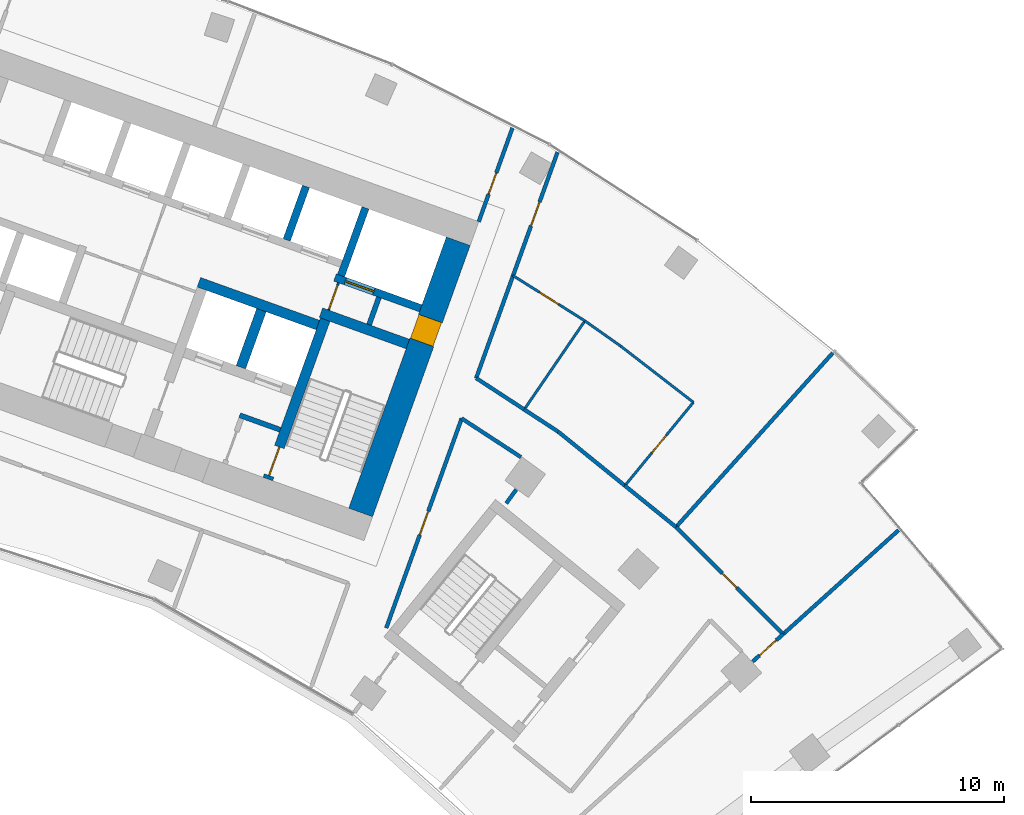
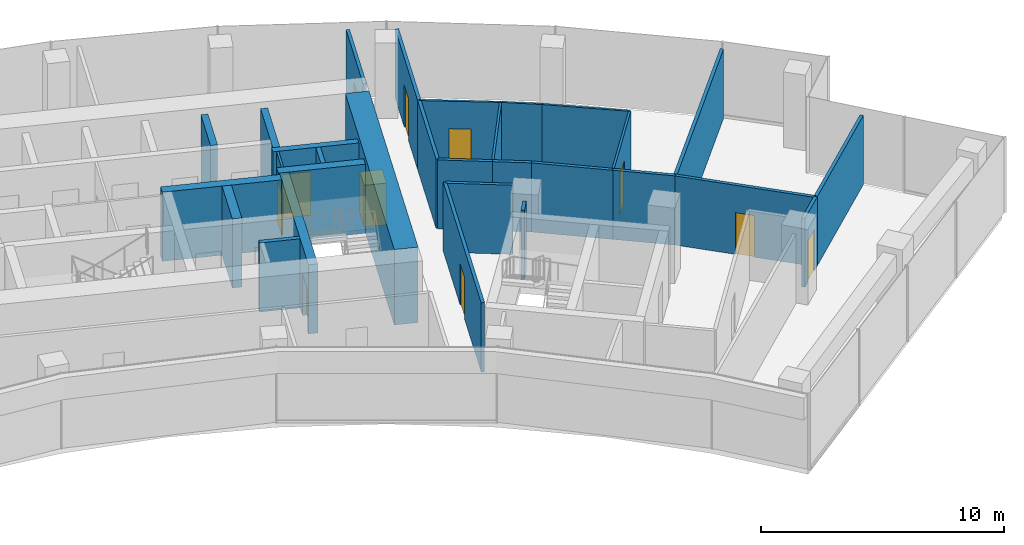
# One storey, part 16 of 19: 30 walls, 11 doors, 11 openings.
"""IFC4 building model written with IfcOpenShell, lengths in metres."""

from ifc_helpers import new_model, si_unit, direction, frame, frame_2d, origin, place, context, subcontext, project, spatial, rectangle, extrude, material, layer, layer_set, type_object, element, fill, save


model = new_model("IFC4")

# Units and contexts
model_context = context("Model", 3, precision=1e-05, world=origin(), true_north=direction((0.0, 1.0)))
body_context = subcontext(model_context, "Body", "Model", "MODEL_VIEW")
ifc_project = project(units=[si_unit("LENGTHUNIT", "METRE"), si_unit("AREAUNIT", "SQUARE_METRE"), si_unit("VOLUMEUNIT", "CUBIC_METRE"), si_unit("PLANEANGLEUNIT", "RADIAN"), si_unit("MASSUNIT", "GRAM", prefix="KILO")], contexts=[model_context])

# Site, building, storey
site_placement = place(None, origin())
site = spatial("IfcSite", under=ifc_project, at=site_placement, CompositionType="ELEMENT")
building_placement = place(site_placement, origin())
building = spatial("IfcBuilding", under=site, at=building_placement, Name="Stone Belt Terrace Tower", CompositionType="ELEMENT")
storey_placement = place(building_placement, frame((0.0, 0.0, 227.60009765625)))
storey = spatial("IfcBuildingStorey", under=building, at=storey_placement, Name="L55", CompositionType="ELEMENT", Elevation=227.60009765625)

# Wall, opening, door
ifc_material_1 = material(Name="Plasterboard partition")
ifc_layer_1 = layer(ifc_material_1, 0.10009765625)
ifc_layer_set_1 = layer_set([ifc_layer_1], Name="Core partition 100")
wall_type_1 = type_object("IfcWallType", Name="Core partition 100", PredefinedType="PARTITIONING", material=ifc_layer_set_1)
wall_1_placement = place(storey_placement, frame((24.555908203125, 51.10400390625, 0.0), z_axis=(0.0, 0.0, 1.0), x_axis=(0.338621735342, 0.94092258999, 0.0)))
wall_1 = element("IfcWall", 1, at=wall_1_placement, inside=storey, type_object=wall_type_1, Name="Core B wall", PredefinedType="PARTITIONING", context=body_context, shape_type="SweptSolid", body=[
    extrude(rectangle(XDim=1.14990234375, YDim=0.10009765625, at=frame_2d((0.574951171875, 0.0))), origin(), (0.0, 0.0, 1.0), 3.47998046875),
])
opening_1_placement = place(wall_1_placement, frame((0.050048828125, 0.0, 0.0)))
opening_1 = element("IfcOpeningElement", 2, at=opening_1_placement, cuts=wall_1, Name="Opening L55-C18", PredefinedType="OPENING", context=body_context, shape_type="SweptSolid", body=[
    extrude(rectangle(XDim=1.0, YDim=2.10009765625, at=frame_2d((0.5, 1.050048828125))), frame((0.0, 0.06005859375, 0.0), z_axis=(0.0, -1.0, 0.0), x_axis=(1.0, 0.0, 0.0)), (0.0, 0.0, 1.0), 0.1201171875),
])
ifc_material_2 = material(Name="Timber door leaf", Category="wood")
door_type_1 = type_object("IfcDoorType", Name="Core room door 1000", OperationType="SINGLE_SWING_LEFT", PredefinedType="DOOR", material=ifc_material_2)
door_1_placement = place(opening_1_placement, origin())
door_1 = element("IfcDoor", 3, at=door_1_placement, inside=storey, type_object=door_type_1, Name="Service lift lobby door core B", OperationType="SINGLE_SWING_RIGHT", OverallHeight=2.10009765625, OverallWidth=1.0, PredefinedType="DOOR", context=body_context, shape_type="SweptSolid", body=[
    extrude(rectangle(XDim=1.0, YDim=2.10009765625, at=frame_2d((0.5, 1.050048828125))), frame((0.0, 0.02490234375, 0.0), z_axis=(0.0, -1.0, 0.0), x_axis=(1.0, 0.0, 0.0)), (0.0, 0.0, 1.0), 0.050048828125),
])
fill(opening_1, door_1)

ifc_material_3 = material(Name="Concrete B60", Category="concrete")
ifc_layer_2 = layer(ifc_material_3, 1.0)
ifc_layer_set_2 = layer_set([ifc_layer_2], Name="Core wall 1000 B60")
wall_type_2 = type_object("IfcWallType", Name="Core wall 1000 B60", PredefinedType="SHEAR", material=ifc_layer_set_2)
wall_2_placement = place(storey_placement, frame((25.821044921875, 43.102783203125, 0.0), z_axis=(0.0, 0.0, 1.0), x_axis=(0.338625431531, 0.940921259788, 0.0)))
wall_2 = element("IfcWall", 4, at=wall_2_placement, inside=storey, type_object=wall_type_2, Name="Core B wall end_b L55", PredefinedType="SHEAR", context=body_context, shape_type="SweptSolid", body=[
    extrude(rectangle(XDim=11.400146484375, YDim=1.0, at=frame_2d((5.7001953125, 0.0))), origin(), (0.0, 0.0, 1.0), 3.7998046875),
])
opening_2_placement = place(wall_2_placement, frame((7.14990234375, 0.0, 0.0)))
opening_2 = element("IfcOpeningElement", 5, at=opening_2_placement, cuts=wall_2, Name="Opening L55-C17", PredefinedType="OPENING", context=body_context, shape_type="SweptSolid", body=[
    extrude(rectangle(XDim=1.0, YDim=2.10009765625, at=frame_2d((0.5, 1.050048828125))), frame((0.0, 0.510009765625, 0.0), z_axis=(0.0, -1.0, 0.0), x_axis=(1.0, 0.0, 0.0)), (0.0, 0.0, 1.0), 1.02001953125),
])
door_2_placement = place(opening_2_placement, origin())
door_2 = element("IfcDoor", 6, at=door_2_placement, inside=storey, type_object=door_type_1, Name="Door to Telecommunications riser room core B", OperationType="SINGLE_SWING_LEFT", OverallHeight=2.10009765625, OverallWidth=1.0, PredefinedType="DOOR", context=body_context, shape_type="SweptSolid", body=[
    extrude(rectangle(XDim=1.0, YDim=2.10009765625, at=frame_2d((0.5, 1.050048828125))), frame((0.0, 0.47998046875, 0.0), z_axis=(0.0, -1.0, 0.0), x_axis=(1.0, 0.0, 0.0)), (0.0, 0.0, 1.0), 0.949951171875),
])
fill(opening_2, door_2)

# Walls
ifc_material_4 = material(Name="Concrete B80", Category="concrete")
ifc_layer_3 = layer(ifc_material_4, 0.39990234375)
ifc_layer_set_3 = layer_set([ifc_layer_3], Name="Fire-fighting lift shaft wall 400")
wall_type_3 = type_object("IfcWallType", Name="Fire-fighting lift shaft wall 400", PredefinedType="SHEAR", material=ifc_layer_set_3)
wall_3_placement = place(storey_placement, frame((24.130615234375, 50.512939453125, 0.0), z_axis=(0.0, 0.0, 1.0), x_axis=(-0.94091168377, 0.338652038744, 0.0)))
element("IfcWall", 7, at=wall_3_placement, inside=storey, type_object=wall_type_3, Name="Core B wall", PredefinedType="SHEAR", context=body_context, shape_type="SweptSolid", body=[
    extrude(rectangle(XDim=5.000244140625, YDim=0.39990234375, at=frame_2d((2.5, 0.0))), origin(), (0.0, 0.0, 1.0), 3.47998046875),
])
wall_4_placement = place(storey_placement, frame((21.0859375, 48.845458984375, 0.0), z_axis=(0.0, 0.0, 1.0), x_axis=(0.338629416206, 0.940919825745, 0.0)))
element("IfcWall", 8, at=wall_4_placement, inside=storey, type_object=wall_type_3, Name="Core B wall", PredefinedType="SHEAR", context=body_context, shape_type="SweptSolid", body=[
    extrude(rectangle(XDim=2.400146484375, YDim=0.39990234375, at=frame_2d((1.2001953125, 0.0))), origin(), (0.0, 0.0, 1.0), 3.47998046875),
])

# Wall, opening, door
ifc_layer_4 = layer(ifc_material_4, 0.300048828125)
ifc_layer_set_4 = layer_set([ifc_layer_4], Name="Lift shaft wall 300")
wall_type_4 = type_object("IfcWallType", Name="Lift shaft wall 300", PredefinedType="SHEAR", material=ifc_layer_set_4)
wall_5_placement = place(storey_placement, frame((28.195068359375, 51.17578125, 0.0), z_axis=(0.0, 0.0, 1.0), x_axis=(-0.940901243567, 0.338681044427, 0.0)))
wall_5 = element("IfcWall", 9, at=wall_5_placement, inside=storey, type_object=wall_type_4, Name="Core B wall", PredefinedType="SHEAR", context=body_context, shape_type="SweptSolid", body=[
    extrude(rectangle(XDim=3.599853515625, YDim=0.300048828125, at=frame_2d((1.7998046875, 0.0))), origin(), (0.0, 0.0, 1.0), 3.47998046875),
])
opening_3_placement = place(wall_5_placement, frame((1.969970703125, 0.0, 0.0)))
opening_3 = element("IfcOpeningElement", 10, at=opening_3_placement, cuts=wall_5, Name="Opening L55-LD16", PredefinedType="OPENING", context=body_context, shape_type="SweptSolid", body=[
    extrude(rectangle(XDim=1.199951171875, YDim=2.199951171875, at=frame_2d((0.60009765625, 1.10009765625))), frame((0.0, 0.159912109375, 0.0), z_axis=(0.0, -1.0, 0.0), x_axis=(1.0, 0.0, 0.0)), (0.0, 0.0, 1.0), 0.320068359375),
])
ifc_material_5 = material(Name="Stainless steel door leaf", Category="steel")
door_type_2 = type_object("IfcDoorType", Name="Landing door 1200", OperationType="SLIDING_TO_LEFT", PredefinedType="DOOR", material=ifc_material_5)
door_3_placement = place(opening_3_placement, origin())
door_3 = element("IfcDoor", 11, at=door_3_placement, inside=storey, type_object=door_type_2, Name="Landing door SV1 core B", OperationType="SLIDING_TO_LEFT", OverallHeight=2.199951171875, OverallWidth=1.199951171875, PredefinedType="DOOR", context=body_context, shape_type="SweptSolid", body=[
    extrude(rectangle(XDim=1.199951171875, YDim=2.199951171875, at=frame_2d((0.60009765625, 1.10009765625))), frame((0.0, 0.02490234375, 0.0), z_axis=(0.0, -1.0, 0.0), x_axis=(1.0, 0.0, 0.0)), (0.0, 0.0, 1.0), 0.050048828125),
])
fill(opening_3, door_3)

# Walls
wall_6_placement = place(storey_placement, frame((25.046875, 52.46826171875, 0.0), z_axis=(0.0, 0.0, 1.0), x_axis=(0.338549588058, 0.940948551423, 0.0)))
element("IfcWall", 12, at=wall_6_placement, inside=storey, type_object=wall_type_4, Name="Core B wall", PredefinedType="SHEAR", context=body_context, shape_type="SweptSolid", body=[
    extrude(rectangle(XDim=2.849853515625, YDim=0.300048828125, at=frame_2d((1.4248046875, 0.0))), origin(), (0.0, 0.0, 1.0), 3.47998046875),
])
wall_7_placement = place(storey_placement, frame((22.897705078125, 53.87939453125, 0.0), z_axis=(0.0, 0.0, 1.0), x_axis=(0.338535034312, 0.940953787677, 0.0)))
element("IfcWall", 13, at=wall_7_placement, inside=storey, type_object=wall_type_4, Name="Core B wall", PredefinedType="SHEAR", context=body_context, shape_type="SweptSolid", body=[
    extrude(rectangle(XDim=2.25, YDim=0.300048828125, at=frame_2d((1.125, 0.0))), origin(), (0.0, 0.0, 1.0), 3.47998046875),
])

# Wall, opening, door
ifc_material_6 = material(Name="Gypsum board partition")
ifc_layer_5 = layer(ifc_material_6, 0.10009765625)
ifc_layer_set_5 = layer_set([ifc_layer_5], Name="PARTITION 100")
wall_type_5 = type_object("IfcWallType", Name="PARTITION 100", PredefinedType="PARTITIONING", material=ifc_layer_set_5)
wall_8_placement = place(storey_placement, frame((34.68896484375, 50.679931640625, 0.0), z_axis=(0.0, 0.0, 1.0), x_axis=(-0.846227980526, 0.532820987738, 0.0)))
wall_8 = element("IfcWall", 14, at=wall_8_placement, inside=storey, type_object=wall_type_5, Name="L55/wall/i060", PredefinedType="PARTITIONING", context=body_context, shape_type="SweptSolid", body=[
    extrude(rectangle(XDim=3.35595703125, YDim=0.10009765625, at=frame_2d((1.677978515625, 0.0))), origin(), (0.0, 0.0, 1.0), 3.47998046875),
])
opening_4_placement = place(wall_8_placement, frame((1.22802734375, 0.0, 0.0)))
opening_4 = element("IfcOpeningElement", 15, at=opening_4_placement, cuts=wall_8, Name="Opening D-D4-20", PredefinedType="OPENING", context=body_context, shape_type="SweptSolid", body=[
    extrude(rectangle(XDim=0.89990234375, YDim=2.10009765625, at=frame_2d((0.449951171875, 1.050048828125))), frame((0.0, 0.06005859375, 0.0), z_axis=(0.0, -1.0, 0.0), x_axis=(1.0, 0.0, 0.0)), (0.0, 0.0, 1.0), 0.1201171875),
])
door_type_3 = type_object("IfcDoorType", Name="OFFICE DOOR 900 X 2100", OperationType="NOTDEFINED", PredefinedType="DOOR", material=ifc_material_2)
door_4_placement = place(opening_4_placement, origin())
door_4 = element("IfcDoor", 16, at=door_4_placement, inside=storey, type_object=door_type_3, Name="L55/door/i20", OperationType="SINGLE_SWING_RIGHT", OverallHeight=2.10009765625, OverallWidth=0.89990234375, PredefinedType="DOOR", context=body_context, shape_type="SweptSolid", body=[
    extrude(rectangle(XDim=0.89990234375, YDim=2.10009765625, at=frame_2d((0.449951171875, 1.050048828125))), frame((0.0, 0.02490234375, 0.0), z_axis=(0.0, -1.0, 0.0), x_axis=(1.0, 0.0, 0.0)), (0.0, 0.0, 1.0), 0.050048828125),
])
fill(opening_4, door_4)

wall_9_placement = place(storey_placement, frame((36.27099609375, 44.162109375, 0.0), z_axis=(0.0, 0.0, 1.0), x_axis=(0.634607645359, 0.772834481925, 0.0)))
wall_9 = element("IfcWall", 17, at=wall_9_placement, inside=storey, type_object=wall_type_5, Name="L55/wall/i061", PredefinedType="PARTITIONING", context=body_context, shape_type="SweptSolid", body=[
    extrude(rectangle(XDim=4.267333984375, YDim=0.10009765625, at=frame_2d((2.1337890625, 0.0))), origin(), (0.0, 0.0, 1.0), 3.47998046875),
])
opening_5_placement = place(wall_9_placement, frame((1.68359375, 0.0, 0.0)))
opening_5 = element("IfcOpeningElement", 18, at=opening_5_placement, cuts=wall_9, Name="Opening D-D4-21", PredefinedType="OPENING", context=body_context, shape_type="SweptSolid", body=[
    extrude(rectangle(XDim=0.89990234375, YDim=2.10009765625, at=frame_2d((0.449951171875, 1.050048828125))), frame((0.0, 0.06005859375, 0.0), z_axis=(0.0, -1.0, 0.0), x_axis=(1.0, 0.0, 0.0)), (0.0, 0.0, 1.0), 0.1201171875),
])
door_5_placement = place(opening_5_placement, origin())
door_5 = element("IfcDoor", 19, at=door_5_placement, inside=storey, type_object=door_type_3, Name="L55/door/i21", OperationType="SINGLE_SWING_RIGHT", OverallHeight=2.10009765625, OverallWidth=0.89990234375, PredefinedType="DOOR", context=body_context, shape_type="SweptSolid", body=[
    extrude(rectangle(XDim=0.89990234375, YDim=2.10009765625, at=frame_2d((0.449951171875, 1.050048828125))), frame((0.0, 0.02490234375, 0.0), z_axis=(0.0, -1.0, 0.0), x_axis=(1.0, 0.0, 0.0)), (0.0, 0.0, 1.0), 0.050048828125),
])
fill(opening_5, door_5)

# Walls
wall_10_placement = place(storey_placement, frame((38.97900390625, 47.4599609375, 0.0), z_axis=(0.0, 0.0, 1.0), x_axis=(-0.791190586797, 0.611569665176, 0.0)))
element("IfcWall", 20, at=wall_10_placement, inside=storey, type_object=wall_type_5, Name="L55/wall/i062", PredefinedType="PARTITIONING", context=body_context, shape_type="SweptSolid", body=[
    extrude(rectangle(XDim=3.639892578125, YDim=0.10009765625, at=frame_2d((1.81982421875, 0.0))), origin(), (0.0, 0.0, 1.0), 3.47998046875),
])
wall_11_placement = place(storey_placement, frame((36.09912109375, 49.68603515625, 0.0), z_axis=(0.0, 0.0, 1.0), x_axis=(-0.817379448186, 0.576099676864, 0.0)))
element("IfcWall", 21, at=wall_11_placement, inside=storey, type_object=wall_type_5, Name="L55/wall/i063", PredefinedType="PARTITIONING", context=body_context, shape_type="SweptSolid", body=[
    extrude(rectangle(XDim=1.72509765625, YDim=0.10009765625, at=frame_2d((0.862548828125, 0.0))), origin(), (0.0, 0.0, 1.0), 3.47998046875),
])
wall_12_placement = place(storey_placement, frame((34.68896484375, 50.679931640625, 0.0), z_axis=(0.0, 0.0, 1.0), x_axis=(-0.564819912934, -0.825214193984, 0.0)))
element("IfcWall", 22, at=wall_12_placement, inside=storey, type_object=wall_type_5, Name="L55/wall/i065", PredefinedType="PARTITIONING", context=body_context, shape_type="SweptSolid", body=[
    extrude(rectangle(XDim=4.247314453125, YDim=0.10009765625, at=frame_2d((2.12353515625, 0.0))), origin(), (0.0, 0.0, 1.0), 3.47998046875),
])

# Wall, opening, door
ifc_layer_6 = layer(ifc_material_6, 0.14990234375)
ifc_layer_set_6 = layer_set([ifc_layer_6], Name="PARTITION 150 EI 60")
wall_type_6 = type_object("IfcWallType", Name="PARTITION 150 EI 60", PredefinedType="PARTITIONING", material=ifc_layer_set_6)
wall_13_placement = place(storey_placement, frame((30.490966796875, 54.60107421875, 0.0), z_axis=(0.0, 0.0, 1.0), x_axis=(0.338542007836, 0.940951278723, 0.0)))
wall_13 = element("IfcWall", 23, at=wall_13_placement, inside=storey, type_object=wall_type_6, Name="L55/wall/i022", PredefinedType="PARTITIONING", context=body_context, shape_type="SweptSolid", body=[
    extrude(rectangle(XDim=3.946044921875, YDim=0.14990234375, at=frame_2d((1.97314453125, 0.0))), origin(), (0.0, 0.0, 1.0), 3.47998046875),
])
opening_6_placement = place(wall_13_placement, frame((1.15625, 0.0, 0.0)))
opening_6 = element("IfcOpeningElement", 24, at=opening_6_placement, cuts=wall_13, Name="Opening D-D4-08", PredefinedType="OPENING", context=body_context, shape_type="SweptSolid", body=[
    extrude(rectangle(XDim=0.89990234375, YDim=2.10009765625, at=frame_2d((0.449951171875, 1.050048828125))), frame((0.0, 0.0849609375, 0.0), z_axis=(0.0, -1.0, 0.0), x_axis=(1.0, 0.0, 0.0)), (0.0, 0.0, 1.0), 0.169921875),
])
door_6_placement = place(opening_6_placement, origin())
door_6 = element("IfcDoor", 25, at=door_6_placement, inside=storey, type_object=door_type_3, Name="L55/door/i08", OperationType="SINGLE_SWING_LEFT", OverallHeight=2.10009765625, OverallWidth=0.89990234375, PredefinedType="DOOR", context=body_context, shape_type="SweptSolid", body=[
    extrude(rectangle(XDim=0.89990234375, YDim=2.10009765625, at=frame_2d((0.449951171875, 1.050048828125))), frame((0.0, 0.02490234375, 0.0), z_axis=(0.0, -1.0, 0.0), x_axis=(1.0, 0.0, 0.0)), (0.0, 0.0, 1.0), 0.050048828125),
])
fill(opening_6, door_6)

wall_14_placement = place(storey_placement, frame((29.819091796875, 46.826904296875, 0.0), z_axis=(0.0, 0.0, 1.0), x_axis=(-0.338620385032, -0.940923075942, 0.0)))
wall_14 = element("IfcWall", 26, at=wall_14_placement, inside=storey, type_object=wall_type_6, Name="L55/wall/i023", PredefinedType="PARTITIONING", context=body_context, shape_type="SweptSolid", body=[
    extrude(rectangle(XDim=8.8125, YDim=0.14990234375, at=frame_2d((4.40625, 0.0))), origin(), (0.0, 0.0, 1.0), 3.47998046875),
])
opening_7_placement = place(wall_14_placement, frame((3.90625, 0.0, 0.0)))
opening_7 = element("IfcOpeningElement", 27, at=opening_7_placement, cuts=wall_14, Name="Opening D-D4-16", PredefinedType="OPENING", context=body_context, shape_type="SweptSolid", body=[
    extrude(rectangle(XDim=1.0, YDim=2.10009765625, at=frame_2d((0.5, 1.050048828125))), frame((0.0, 0.0849609375, 0.0), z_axis=(0.0, -1.0, 0.0), x_axis=(1.0, 0.0, 0.0)), (0.0, 0.0, 1.0), 0.169921875),
])
ifc_material_7 = material(Name="Timber fire door leaf", Category="wood")
door_type_4 = type_object("IfcDoorType", Name="TENANCY ENTRANCE DOOR 1000 X 2100", OperationType="NOTDEFINED", PredefinedType="DOOR", material=ifc_material_7)
door_7_placement = place(opening_7_placement, origin())
door_7 = element("IfcDoor", 28, at=door_7_placement, inside=storey, type_object=door_type_4, Name="L55/door/i16", OperationType="SINGLE_SWING_RIGHT", OverallHeight=2.10009765625, OverallWidth=1.0, PredefinedType="DOOR", context=body_context, shape_type="SweptSolid", body=[
    extrude(rectangle(XDim=1.0, YDim=2.10009765625, at=frame_2d((0.5, 1.050048828125))), frame((0.0, 0.02490234375, 0.0), z_axis=(0.0, -1.0, 0.0), x_axis=(1.0, 0.0, 0.0)), (0.0, 0.0, 1.0), 0.050048828125),
])
fill(opening_7, door_7)

wall_15_placement = place(storey_placement, frame((33.60791015625, 57.35400390625, 0.0), z_axis=(0.0, 0.0, 1.0), x_axis=(-0.338691201609, -0.940897587388, 0.0)))
wall_15 = element("IfcWall", 29, at=wall_15_placement, inside=storey, type_object=wall_type_6, Name="L55/wall/i026", PredefinedType="PARTITIONING", context=body_context, shape_type="SweptSolid", body=[
    extrude(rectangle(XDim=5.199462890625, YDim=0.14990234375, at=frame_2d((2.599609375, 0.0))), origin(), (0.0, 0.0, 1.0), 3.47998046875),
])
opening_8_placement = place(wall_15_placement, frame((2.099609375, 0.0, 0.0)))
opening_8 = element("IfcOpeningElement", 30, at=opening_8_placement, cuts=wall_15, Name="Opening D-D4-19", PredefinedType="OPENING", context=body_context, shape_type="SweptSolid", body=[
    extrude(rectangle(XDim=1.0, YDim=2.10009765625, at=frame_2d((0.5, 1.050048828125))), frame((0.0, 0.0849609375, 0.0), z_axis=(0.0, -1.0, 0.0), x_axis=(1.0, 0.0, 0.0)), (0.0, 0.0, 1.0), 0.169921875),
])
door_8_placement = place(opening_8_placement, origin())
door_8 = element("IfcDoor", 31, at=door_8_placement, inside=storey, type_object=door_type_4, Name="L55/door/i19", OperationType="SINGLE_SWING_RIGHT", OverallHeight=2.10009765625, OverallWidth=1.0, PredefinedType="DOOR", context=body_context, shape_type="SweptSolid", body=[
    extrude(rectangle(XDim=1.0, YDim=2.10009765625, at=frame_2d((0.5, 1.050048828125))), frame((0.0, 0.02490234375, 0.0), z_axis=(0.0, -1.0, 0.0), x_axis=(1.0, 0.0, 0.0)), (0.0, 0.0, 1.0), 0.050048828125),
])
fill(opening_8, door_8)

# Wall
wall_16_placement = place(storey_placement, frame((31.85107421875, 52.47412109375, 0.0), z_axis=(0.0, 0.0, 1.0), x_axis=(-0.3385233076, -0.940958006614, 0.0)))
element("IfcWall", 32, at=wall_16_placement, inside=storey, type_object=wall_type_6, Name="L55/wall/i027", PredefinedType="PARTITIONING", context=body_context, shape_type="SweptSolid", body=[
    extrude(rectangle(XDim=4.3193359375, YDim=0.14990234375, at=frame_2d((2.15966796875, 0.0))), origin(), (0.0, 0.0, 1.0), 3.47998046875),
])

# Wall, opening, door
wall_17_placement = place(storey_placement, frame((42.531005859375, 38.2939453125, 0.0), z_axis=(0.0, 0.0, 1.0), x_axis=(-0.743450987947, -0.668790421972, 0.0)))
wall_17 = element("IfcWall", 33, at=wall_17_placement, inside=storey, type_object=wall_type_6, Name="L55/wall/i046", PredefinedType="PARTITIONING", context=body_context, shape_type="SweptSolid", body=[
    extrude(rectangle(XDim=1.625244140625, YDim=0.14990234375, at=frame_2d((0.8125, 0.0))), origin(), (0.0, 0.0, 1.0), 3.47998046875),
])
opening_9_placement = place(wall_17_placement, frame((0.36279296875, 0.0, 0.0)))
opening_9 = element("IfcOpeningElement", 34, at=opening_9_placement, cuts=wall_17, Name="Opening D-D4-15", PredefinedType="OPENING", context=body_context, shape_type="SweptSolid", body=[
    extrude(rectangle(XDim=0.89990234375, YDim=2.10009765625, at=frame_2d((0.449951171875, 1.050048828125))), frame((0.0, 0.0849609375, 0.0), z_axis=(0.0, -1.0, 0.0), x_axis=(1.0, 0.0, 0.0)), (0.0, 0.0, 1.0), 0.169921875),
])
door_9_placement = place(opening_9_placement, origin())
door_9 = element("IfcDoor", 35, at=door_9_placement, inside=storey, type_object=door_type_3, Name="L55/door/i15", OperationType="SINGLE_SWING_RIGHT", OverallHeight=2.10009765625, OverallWidth=0.89990234375, PredefinedType="DOOR", context=body_context, shape_type="SweptSolid", body=[
    extrude(rectangle(XDim=0.89990234375, YDim=2.10009765625, at=frame_2d((0.449951171875, 1.050048828125))), frame((0.0, 0.02490234375, 0.0), z_axis=(0.0, -1.0, 0.0), x_axis=(1.0, 0.0, 0.0)), (0.0, 0.0, 1.0), 0.050048828125),
])
fill(opening_9, door_9)

# Walls
wall_18_placement = place(storey_placement, frame((42.52197265625, 38.287109375, 0.0), z_axis=(0.0, 0.0, 1.0), x_axis=(0.743181838168, 0.669089497315, 0.0)))
element("IfcWall", 36, at=wall_18_placement, inside=storey, type_object=wall_type_6, Name="L55/wall/i048", PredefinedType="PARTITIONING", context=body_context, shape_type="SweptSolid", body=[
    extrude(rectangle(XDim=6.161865234375, YDim=0.14990234375, at=frame_2d((3.0810546875, 0.0))), origin(), (0.0, 0.0, 1.0), 3.47998046875),
])
wall_19_placement = place(storey_placement, frame((31.580078125, 43.466064453125, 0.0), z_axis=(0.0, 0.0, 1.0), x_axis=(0.587823865289, 0.808988938983, 0.0)))
element("IfcWall", 37, at=wall_19_placement, inside=storey, type_object=wall_type_6, Name="L55/wall/i049", PredefinedType="PARTITIONING", context=body_context, shape_type="SweptSolid", body=[
    extrude(rectangle(XDim=0.66796875, YDim=0.14990234375, at=frame_2d((0.333984375, 0.0))), origin(), (0.0, 0.0, 1.0), 3.47998046875),
])
wall_20_placement = place(storey_placement, frame((32.15869140625, 45.2919921875, 0.0), z_axis=(0.0, 0.0, 1.0), x_axis=(-0.837346388284, 0.546672686374, 0.0)))
element("IfcWall", 38, at=wall_20_placement, inside=storey, type_object=wall_type_6, Name="L55/wall/i050", PredefinedType="PARTITIONING", context=body_context, shape_type="SweptSolid", body=[
    extrude(rectangle(XDim=2.795166015625, YDim=0.14990234375, at=frame_2d((1.3974609375, 0.0))), origin(), (0.0, 0.0, 1.0), 3.47998046875),
])
wall_21_placement = place(storey_placement, frame((36.26611328125, 44.166015625, 0.0), z_axis=(0.0, 0.0, 1.0), x_axis=(0.777150988043, -0.629314183683, 0.0)))
element("IfcWall", 39, at=wall_21_placement, inside=storey, type_object=wall_type_6, Name="L55/wall/i052", PredefinedType="PARTITIONING", context=body_context, shape_type="SweptSolid", body=[
    extrude(rectangle(XDim=2.604248046875, YDim=0.14990234375, at=frame_2d((1.30224609375, 0.0))), origin(), (0.0, 0.0, 1.0), 3.47998046875),
])
wall_22_placement = place(storey_placement, frame((30.39111328125, 48.4150390625, 0.0), z_axis=(0.0, 0.0, 1.0), x_axis=(0.837347746965, -0.546670605258, 0.0)))
element("IfcWall", 40, at=wall_22_placement, inside=storey, type_object=wall_type_6, Name="L55/wall/i053", PredefinedType="PARTITIONING", context=body_context, shape_type="SweptSolid", body=[
    extrude(rectangle(XDim=2.273681640625, YDim=0.14990234375, at=frame_2d((1.13671875, 0.0))), origin(), (0.0, 0.0, 1.0), 3.47998046875),
])
wall_23_placement = place(storey_placement, frame((32.284912109375, 47.177978515625, 0.0), z_axis=(0.0, 0.0, 1.0), x_axis=(0.837342595349, -0.546678496024, 0.0)))
element("IfcWall", 41, at=wall_23_placement, inside=storey, type_object=wall_type_6, Name="L55/wall/i054", PredefinedType="PARTITIONING", context=body_context, shape_type="SweptSolid", body=[
    extrude(rectangle(XDim=1.613525390625, YDim=0.14990234375, at=frame_2d((0.806640625, 0.0))), origin(), (0.0, 0.0, 1.0), 3.47998046875),
])
wall_24_placement = place(storey_placement, frame((33.635986328125, 46.2958984375, 0.0), z_axis=(0.0, 0.0, 1.0), x_axis=(0.777003753109, -0.629495963176, 0.0)))
element("IfcWall", 42, at=wall_24_placement, inside=storey, type_object=wall_type_6, Name="L55/wall/i055", PredefinedType="PARTITIONING", context=body_context, shape_type="SweptSolid", body=[
    extrude(rectangle(XDim=3.396240234375, YDim=0.14990234375, at=frame_2d((1.6982421875, 0.0))), origin(), (0.0, 0.0, 1.0), 3.47998046875),
])

# Wall, opening, door
wall_25_placement = place(storey_placement, frame((38.291015625, 42.52587890625, 0.0), z_axis=(0.0, 0.0, 1.0), x_axis=(0.707106781187, -0.707106781187, 0.0)))
wall_25 = element("IfcWall", 43, at=wall_25_placement, inside=storey, type_object=wall_type_6, Name="L55/wall/i056", PredefinedType="PARTITIONING", context=body_context, shape_type="SweptSolid", body=[
    extrude(rectangle(XDim=5.989013671875, YDim=0.14990234375, at=frame_2d((2.99462890625, 0.0))), origin(), (0.0, 0.0, 1.0), 3.47998046875),
])
opening_10_placement = place(wall_25_placement, frame((2.594482421875, 0.0, 0.0)))
opening_10 = element("IfcOpeningElement", 44, at=opening_10_placement, cuts=wall_25, Name="Opening D-D4-22", PredefinedType="OPENING", context=body_context, shape_type="SweptSolid", body=[
    extrude(rectangle(XDim=0.800048828125, YDim=2.10009765625, at=frame_2d((0.39990234375, 1.050048828125))), frame((0.0, 0.0849609375, 0.0), z_axis=(0.0, -1.0, 0.0), x_axis=(1.0, 0.0, 0.0)), (0.0, 0.0, 1.0), 0.169921875),
])
door_type_5 = type_object("IfcDoorType", Name="STORE DOOR 800 X 2100", OperationType="NOTDEFINED", PredefinedType="DOOR", material=ifc_material_2)
door_10_placement = place(opening_10_placement, origin())
door_10 = element("IfcDoor", 45, at=door_10_placement, inside=storey, type_object=door_type_5, Name="L55/door/i22", OperationType="SINGLE_SWING_RIGHT", OverallHeight=2.10009765625, OverallWidth=0.800048828125, PredefinedType="DOOR", context=body_context, shape_type="SweptSolid", body=[
    extrude(rectangle(XDim=0.800048828125, YDim=2.10009765625, at=frame_2d((0.39990234375, 1.050048828125))), frame((0.0, 0.02490234375, 0.0), z_axis=(0.0, -1.0, 0.0), x_axis=(1.0, 0.0, 0.0)), (0.0, 0.0, 1.0), 0.050048828125),
])
fill(opening_10, door_10)

# Walls
wall_26_placement = place(storey_placement, frame((44.496826171875, 49.41943359375, 0.0), z_axis=(0.0, 0.0, 1.0), x_axis=(-0.669060704206, -0.743207759706, 0.0)))
element("IfcWall", 46, at=wall_26_placement, inside=storey, type_object=wall_type_6, Name="L55/wall/i064", PredefinedType="PARTITIONING", context=body_context, shape_type="SweptSolid", body=[
    extrude(rectangle(XDim=9.275390625, YDim=0.14990234375, at=frame_2d((4.6376953125, 0.0))), origin(), (0.0, 0.0, 1.0), 3.47998046875),
])
ifc_material_8 = material(Name="Concrete masonry block", Category="masonry")
ifc_layer_7 = layer(ifc_material_8, 0.199951171875)
ifc_layer_set_7 = layer_set([ifc_layer_7], Name="Rated lobby wall 200")
wall_type_7 = type_object("IfcWallType", Name="Rated lobby wall 200", PredefinedType="PARTITIONING", material=ifc_layer_set_7)
wall_27_placement = place(storey_placement, frame((26.1552734375, 50.5283203125, 0.0), z_axis=(0.0, 0.0, 1.0), x_axis=(0.338621735342, 0.94092258999, 0.0)))
element("IfcWall", 47, at=wall_27_placement, inside=storey, type_object=wall_type_7, Name="Core B wall", PredefinedType="PARTITIONING", context=body_context, shape_type="SweptSolid", body=[
    extrude(rectangle(XDim=1.14990234375, YDim=0.199951171875, at=frame_2d((0.574951171875, 0.0))), origin(), (0.0, 0.0, 1.0), 3.47998046875),
])
wall_28_placement = place(storey_placement, frame((22.640625, 46.373046875, 0.0), z_axis=(0.0, 0.0, 1.0), x_axis=(-0.940966110313, 0.338500781747, 0.0)))
element("IfcWall", 48, at=wall_28_placement, inside=storey, type_object=wall_type_7, Name="Core B wall", PredefinedType="PARTITIONING", context=body_context, shape_type="SweptSolid", body=[
    extrude(rectangle(XDim=1.699951171875, YDim=0.199951171875, at=frame_2d((0.85009765625, 0.0))), origin(), (0.0, 0.0, 1.0), 3.47998046875),
])
ifc_layer_8 = layer(ifc_material_4, 0.39990234375)
ifc_layer_set_8 = layer_set([ifc_layer_8], Name="Stair enclosure wall 400")
wall_type_8 = type_object("IfcWallType", Name="Stair enclosure wall 400", PredefinedType="SHEAR", material=ifc_layer_set_8)
wall_29_placement = place(storey_placement, frame((27.687255859375, 49.764404296875, 0.0), z_axis=(0.0, 0.0, 1.0), x_axis=(-0.940918954884, 0.338631835981, 0.0)))
element("IfcWall", 49, at=wall_29_placement, inside=storey, type_object=wall_type_8, Name="Core B wall", PredefinedType="SHEAR", context=body_context, shape_type="SweptSolid", body=[
    extrude(rectangle(XDim=3.650146484375, YDim=0.39990234375, at=frame_2d((1.8251953125, 0.0))), origin(), (0.0, 0.0, 1.0), 3.47998046875),
])

# Wall, opening, door
wall_30_placement = place(storey_placement, frame((22.151611328125, 44.42333984375, 0.0), z_axis=(0.0, 0.0, 1.0), x_axis=(0.338625272931, 0.940921316866, 0.0)))
wall_30 = element("IfcWall", 50, at=wall_30_placement, inside=storey, type_object=wall_type_8, Name="Core B wall", PredefinedType="SHEAR", context=body_context, shape_type="SweptSolid", body=[
    extrude(rectangle(XDim=6.699951171875, YDim=0.39990234375, at=frame_2d((3.35009765625, 0.0))), origin(), (0.0, 0.0, 1.0), 3.47998046875),
])
opening_11_placement = place(wall_30_placement, frame((0.14990234375, 0.0, 0.0)))
opening_11 = element("IfcOpeningElement", 51, at=opening_11_placement, cuts=wall_30, Name="Opening L55-C21", PredefinedType="OPENING", context=body_context, shape_type="SweptSolid", body=[
    extrude(rectangle(XDim=1.199951171875, YDim=2.10009765625, at=frame_2d((0.60009765625, 1.050048828125))), frame((0.0, 0.2099609375, 0.0), z_axis=(0.0, -1.0, 0.0), x_axis=(1.0, 0.0, 0.0)), (0.0, 0.0, 1.0), 0.419921875),
])
ifc_material_9 = material(Name="Steel door leaf", Category="steel")
door_type_6 = type_object("IfcDoorType", Name="Stair door 1200", OperationType="SINGLE_SWING_LEFT", PredefinedType="DOOR", material=ifc_material_9)
door_11_placement = place(opening_11_placement, origin())
door_11 = element("IfcDoor", 52, at=door_11_placement, inside=storey, type_object=door_type_6, Name="Stair 1 door core B", OperationType="SINGLE_SWING_RIGHT", OverallHeight=2.10009765625, OverallWidth=1.199951171875, PredefinedType="DOOR", context=body_context, shape_type="SweptSolid", body=[
    extrude(rectangle(XDim=1.199951171875, YDim=2.10009765625, at=frame_2d((0.60009765625, 1.050048828125))), frame((0.0, 0.02490234375, 0.0), z_axis=(0.0, -1.0, 0.0), x_axis=(1.0, 0.0, 0.0)), (0.0, 0.0, 1.0), 0.050048828125),
])
fill(opening_11, door_11)

save(model, "model.ifc")
